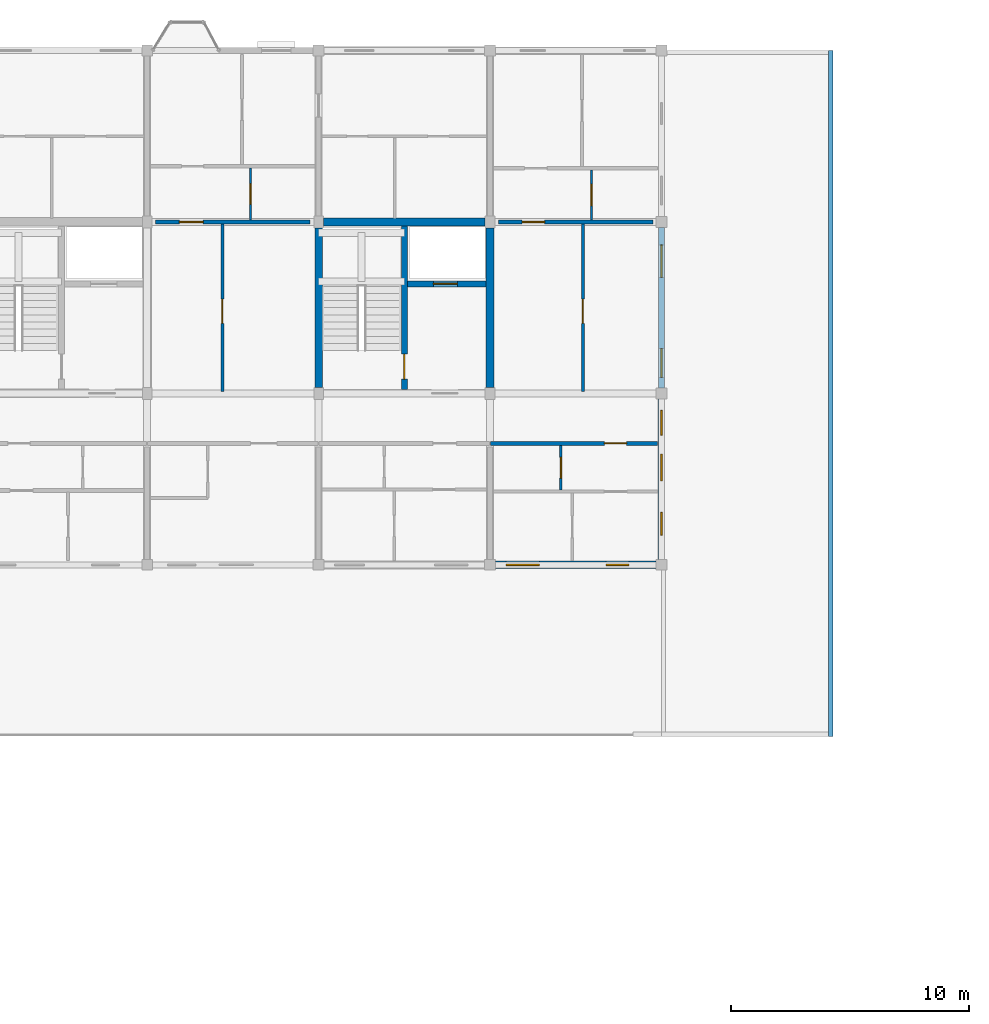
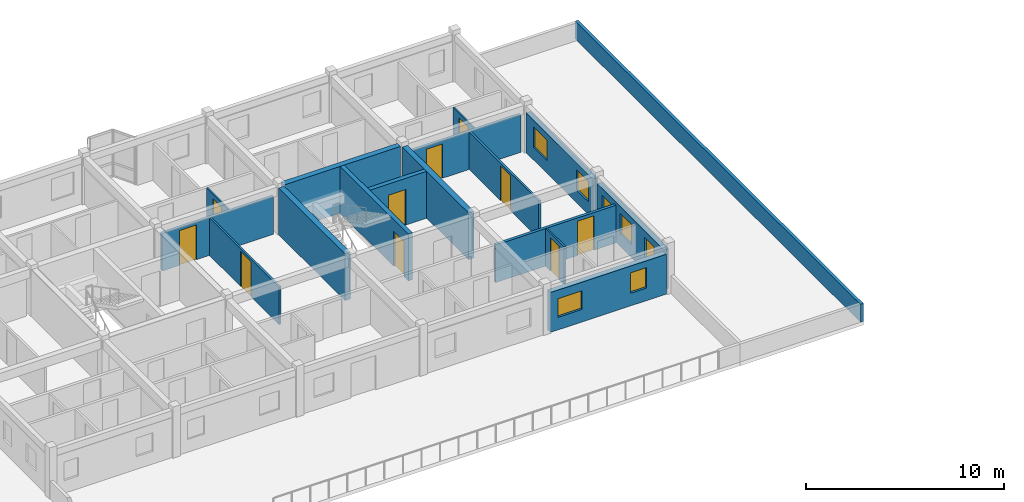
# One storey, part 34 of 40: 17 walls, 10 doors, 7 windows, 17 openings.
"""IFC4 building model written with IfcOpenShell, lengths in metres."""

from ifc_helpers import new_model, si_unit, direction, frame, frame_2d, origin, place, context, subcontext, project, spatial, rectangle, extrude, material, layer, layer_set, type_object, element, fill, save


model = new_model("IFC4")

# Units and contexts
model_context = context("Model", 3, precision=1e-05, world=origin(), true_north=direction((0.0, 1.0)))
body_context = subcontext(model_context, "Body", "Model", "MODEL_VIEW")
ifc_project = project(units=[si_unit("LENGTHUNIT", "METRE"), si_unit("AREAUNIT", "SQUARE_METRE"), si_unit("VOLUMEUNIT", "CUBIC_METRE"), si_unit("PLANEANGLEUNIT", "RADIAN"), si_unit("MASSUNIT", "GRAM", prefix="KILO"), si_unit("THERMODYNAMICTEMPERATUREUNIT", "KELVIN"), si_unit("POWERUNIT", "WATT")], contexts=[model_context])

# Site, building, storey
site_placement = place(None, origin())
site = spatial("IfcSite", under=ifc_project, at=site_placement, CompositionType="ELEMENT")
building_placement = place(site_placement, origin())
building = spatial("IfcBuilding", under=site, at=building_placement, Name="Tavuni Mirador Residences", CompositionType="ELEMENT")
storey_placement = place(building_placement, frame((0.0, 0.0, 36.0)))
storey = spatial("IfcBuildingStorey", under=building, at=storey_placement, Name="L11", CompositionType="ELEMENT", Elevation=36.0)

# Wall, opening, door
ifc_material_1 = material(Name="Precast concrete C40/50", Category="concrete")
ifc_layer_1 = layer(ifc_material_1, 0.25, Name="Precast concrete C40/50", Category="concrete")
ifc_layer_set_1 = layer_set([ifc_layer_1], Name="Precast concrete C40/50")
wall_type_1 = type_object("IfcWallType", Name="WT-COR250", PredefinedType="SHEAR", material=ifc_layer_set_1)
wall_1_placement = place(storey_placement, frame((43.199951171875, 158.56005859375, 0.0), z_axis=(0.0, 0.0, 1.0), x_axis=(0.0, 1.0, 0.0)))
wall_1 = element("IfcWall", 1, at=wall_1_placement, inside=storey, type_object=wall_type_1, Name="CWALL-C6-L11-MID", PredefinedType="SHEAR", context=body_context, shape_type="SweptSolid", body=[
    extrude(rectangle(XDim=6.8798828125, YDim=0.25, at=frame_2d((3.43994140625, 0.0))), origin(), (0.0, 0.0, 1.0), 2.885009765625),
])
opening_1_placement = place(wall_1_placement, frame((0.43994140625, 0.0, 0.0)))
opening_1 = element("IfcOpeningElement", 2, at=opening_1_placement, cuts=wall_1, Name="Opening D-01", PredefinedType="OPENING", context=body_context, shape_type="SweptSolid", body=[
    extrude(rectangle(XDim=1.050048828125, YDim=2.14990234375, at=frame_2d((0.52490234375, 1.074951171875))), frame((0.0, 0.135009765625, 0.0), z_axis=(0.0, -1.0, 0.0), x_axis=(1.0, 0.0, 0.0)), (0.0, 0.0, 1.0), 0.27001953125),
])
ifc_material_2 = material(Name="Solid core iroko timber", Category="wood")
door_type_1 = type_object("IfcDoorType", Name="DT-ST1050", OperationType="NOTDEFINED", PredefinedType="DOOR", material=ifc_material_2)
door_1_placement = place(opening_1_placement, origin())
door_1 = element("IfcDoor", 3, at=door_1_placement, inside=storey, type_object=door_type_1, Name="DR-2253", OperationType="SINGLE_SWING_LEFT", OverallHeight=2.14990234375, OverallWidth=1.050048828125, PredefinedType="DOOR", context=body_context, shape_type="SweptSolid", body=[
    extrude(rectangle(XDim=1.050048828125, YDim=2.14990234375, at=frame_2d((0.52490234375, 1.074951171875))), frame((0.0, 0.02490234375, 0.0), z_axis=(0.0, -1.0, 0.0), x_axis=(1.0, 0.0, 0.0)), (0.0, 0.0, 1.0), 0.050048828125),
])
fill(opening_1, door_1)

wall_2_placement = place(storey_placement, frame((43.324951171875, 163.0, 0.0), z_axis=(0.0, 0.0, 1.0), x_axis=(1.0, 0.0, 0.0)))
wall_2 = element("IfcWall", 4, at=wall_2_placement, inside=storey, type_object=wall_type_1, Name="CWALL-C6-L11-SHF", PredefinedType="SHEAR", context=body_context, shape_type="SweptSolid", body=[
    extrude(rectangle(XDim=3.31494140625, YDim=0.25, at=frame_2d((1.657470703125, 0.0))), origin(), (0.0, 0.0, 1.0), 2.885009765625),
])
opening_2_placement = place(wall_2_placement, frame((1.10009765625, 0.0, 0.0)))
opening_2 = element("IfcOpeningElement", 5, at=opening_2_placement, cuts=wall_2, Name="Opening LD-02", PredefinedType="OPENING", context=body_context, shape_type="SweptSolid", body=[
    extrude(rectangle(XDim=1.0, YDim=2.199951171875, at=frame_2d((0.5, 1.10009765625))), frame((0.0, 0.135009765625, 0.0), z_axis=(0.0, -1.0, 0.0), x_axis=(1.0, 0.0, 0.0)), (0.0, 0.0, 1.0), 0.27001953125),
])
ifc_material_3 = material(Name="Structural steel S355", Category="steel")
door_type_2 = type_object("IfcDoorType", Name="DT-LD-PAX", OperationType="SLIDING_TO_LEFT", PredefinedType="DOOR", material=ifc_material_3)
door_2_placement = place(opening_2_placement, origin())
door_2 = element("IfcDoor", 6, at=door_2_placement, inside=storey, type_object=door_type_2, Name="Lift landing door PL-C1 L11", OperationType="SLIDING_TO_LEFT", OverallHeight=2.199951171875, OverallWidth=1.0, PredefinedType="DOOR", context=body_context, shape_type="SweptSolid", body=[
    extrude(rectangle(XDim=1.0, YDim=2.199951171875, at=frame_2d((0.5, 1.10009765625))), frame((0.0, 0.02490234375, 0.0), z_axis=(0.0, -1.0, 0.0), x_axis=(1.0, 0.0, 0.0)), (0.0, 0.0, 1.0), 0.050048828125),
])
fill(opening_2, door_2)

# Walls
ifc_layer_2 = layer(ifc_material_1, 0.320068359375, Name="Precast concrete C40/50", Category="concrete")
ifc_layer_set_2 = layer_set([ifc_layer_2], Name="Precast concrete C40/50")
wall_type_2 = type_object("IfcWallType", Name="WT-COR320", PredefinedType="SHEAR", material=ifc_layer_set_2)
wall_3_placement = place(storey_placement, frame((39.60009765625, 158.64990234375, 0.0), z_axis=(0.0, 0.0, 1.0), x_axis=(0.0, 1.0, 0.0)))
element("IfcWall", 7, at=wall_3_placement, inside=storey, type_object=wall_type_2, Name="CWALL-C6-L11-W", PredefinedType="SHEAR", context=body_context, shape_type="SweptSolid", body=[
    extrude(rectangle(XDim=6.7001953125, YDim=0.320068359375, at=frame_2d((3.35009765625, 0.0))), origin(), (0.0, 0.0, 1.0), 2.885009765625),
])
wall_4_placement = place(storey_placement, frame((39.800048828125, 165.60009765625, 0.0), z_axis=(0.0, 0.0, 1.0), x_axis=(1.0, 0.0, 0.0)))
element("IfcWall", 8, at=wall_4_placement, inside=storey, type_object=wall_type_2, Name="CWALL-C6-L11-N", PredefinedType="SHEAR", context=body_context, shape_type="SweptSolid", body=[
    extrude(rectangle(XDim=6.800048828125, YDim=0.320068359375, at=frame_2d((3.39990234375, 0.0))), origin(), (0.0, 0.0, 1.0), 2.885009765625),
])
wall_5_placement = place(storey_placement, frame((46.800048828125, 158.64990234375, 0.0), z_axis=(0.0, 0.0, 1.0), x_axis=(0.0, 1.0, 0.0)))
element("IfcWall", 9, at=wall_5_placement, inside=storey, type_object=wall_type_2, Name="CWALL-C6-L11-E", PredefinedType="SHEAR", context=body_context, shape_type="SweptSolid", body=[
    extrude(rectangle(XDim=6.7001953125, YDim=0.320068359375, at=frame_2d((3.35009765625, 0.0))), origin(), (0.0, 0.0, 1.0), 2.885009765625),
])

# Wall, opening, door
ifc_layer_3 = layer(ifc_material_1, 0.1650390625, Name="Precast concrete C40/50", Category="concrete")
ifc_layer_set_3 = layer_set([ifc_layer_3], Name="Precast concrete C40/50")
wall_type_3 = type_object("IfcWallType", Name="WT-CORR165", PredefinedType="PARTITIONING", material=ifc_layer_set_3)
wall_6_placement = place(storey_placement, frame((46.820068359375, 156.300048828125, 0.0), z_axis=(0.0, 0.0, 1.0), x_axis=(1.0, 0.0, 0.0)))
wall_6 = element("IfcWall", 10, at=wall_6_placement, inside=storey, type_object=wall_type_3, Name="CORW-BLK-C-L11-0-04", PredefinedType="PARTITIONING", context=body_context, shape_type="SweptSolid", body=[
    extrude(rectangle(XDim=7.0048828125, YDim=0.1650390625, at=frame_2d((3.50244140625, 0.0))), origin(), (0.0, 0.0, 1.0), 2.320068359375),
])
opening_3_placement = place(wall_6_placement, frame((4.780029296875, 0.0, 0.0)))
opening_3 = element("IfcOpeningElement", 11, at=opening_3_placement, cuts=wall_6, Name="Opening D-19", PredefinedType="OPENING", context=body_context, shape_type="SweptSolid", body=[
    extrude(rectangle(XDim=0.93994140625, YDim=2.1201171875, at=frame_2d((0.469970703125, 1.06005859375))), frame((0.0, 0.092529296875, 0.0), z_axis=(0.0, -1.0, 0.0), x_axis=(1.0, 0.0, 0.0)), (0.0, 0.0, 1.0), 0.18505859375),
])
door_type_3 = type_object("IfcDoorType", Name="DT-FD60-940", OperationType="NOTDEFINED", PredefinedType="DOOR", material=ifc_material_2)
door_3_placement = place(opening_3_placement, origin())
door_3 = element("IfcDoor", 12, at=door_3_placement, inside=storey, type_object=door_type_3, Name="DR-2779", OperationType="SINGLE_SWING_RIGHT", OverallHeight=2.1201171875, OverallWidth=0.93994140625, PredefinedType="DOOR", context=body_context, shape_type="SweptSolid", body=[
    extrude(rectangle(XDim=0.93994140625, YDim=2.1201171875, at=frame_2d((0.469970703125, 1.06005859375))), frame((0.0, 0.02490234375, 0.0), z_axis=(0.0, -1.0, 0.0), x_axis=(1.0, 0.0, 0.0)), (0.0, 0.0, 1.0), 0.050048828125),
])
fill(opening_3, door_3)

wall_7_placement = place(storey_placement, frame((32.75, 165.60009765625, 0.0), z_axis=(0.0, 0.0, 1.0), x_axis=(1.0, 0.0, 0.0)))
wall_7 = element("IfcWall", 13, at=wall_7_placement, inside=storey, type_object=wall_type_3, Name="CORW-BLK-C-L11-1-02", PredefinedType="PARTITIONING", context=body_context, shape_type="SweptSolid", body=[
    extrude(rectangle(XDim=6.5, YDim=0.1650390625, at=frame_2d((3.25, 0.0))), origin(), (0.0, 0.0, 1.0), 2.320068359375),
])
opening_4_placement = place(wall_7_placement, frame((1.0, 0.0, 0.0)))
opening_4 = element("IfcOpeningElement", 14, at=opening_4_placement, cuts=wall_7, Name="Opening D-03", PredefinedType="OPENING", context=body_context, shape_type="SweptSolid", body=[
    extrude(rectangle(XDim=1.0, YDim=2.14990234375, at=frame_2d((0.5, 1.074951171875))), frame((0.0, 0.092529296875, 0.0), z_axis=(0.0, -1.0, 0.0), x_axis=(1.0, 0.0, 0.0)), (0.0, 0.0, 1.0), 0.18505859375),
])
door_type_4 = type_object("IfcDoorType", Name="DT-FD60-1000", OperationType="NOTDEFINED", PredefinedType="DOOR", material=ifc_material_2)
door_4_placement = place(opening_4_placement, origin())
door_4 = element("IfcDoor", 15, at=door_4_placement, inside=storey, type_object=door_type_4, Name="DR-2781", OperationType="SINGLE_SWING_RIGHT", OverallHeight=2.14990234375, OverallWidth=1.0, PredefinedType="DOOR", context=body_context, shape_type="SweptSolid", body=[
    extrude(rectangle(XDim=1.0, YDim=2.14990234375, at=frame_2d((0.5, 1.074951171875))), frame((0.0, 0.02490234375, 0.0), z_axis=(0.0, -1.0, 0.0), x_axis=(1.0, 0.0, 0.0)), (0.0, 0.0, 1.0), 0.050048828125),
])
fill(opening_4, door_4)

wall_8_placement = place(storey_placement, frame((47.14990234375, 165.60009765625, 0.0), z_axis=(0.0, 0.0, 1.0), x_axis=(1.0, 0.0, 0.0)))
wall_8 = element("IfcWall", 16, at=wall_8_placement, inside=storey, type_object=wall_type_3, Name="CORW-BLK-C-L11-1-04", PredefinedType="PARTITIONING", context=body_context, shape_type="SweptSolid", body=[
    extrude(rectangle(XDim=6.5, YDim=0.1650390625, at=frame_2d((3.25, 0.0))), origin(), (0.0, 0.0, 1.0), 2.320068359375),
])
opening_5_placement = place(wall_8_placement, frame((1.0, 0.0, 0.0)))
opening_5 = element("IfcOpeningElement", 17, at=opening_5_placement, cuts=wall_8, Name="Opening D-19", PredefinedType="OPENING", context=body_context, shape_type="SweptSolid", body=[
    extrude(rectangle(XDim=0.93994140625, YDim=2.1201171875, at=frame_2d((0.469970703125, 1.06005859375))), frame((0.0, 0.092529296875, 0.0), z_axis=(0.0, -1.0, 0.0), x_axis=(1.0, 0.0, 0.0)), (0.0, 0.0, 1.0), 0.18505859375),
])
door_5_placement = place(opening_5_placement, origin())
door_5 = element("IfcDoor", 18, at=door_5_placement, inside=storey, type_object=door_type_3, Name="DR-2782", OperationType="SINGLE_SWING_LEFT", OverallHeight=2.1201171875, OverallWidth=0.93994140625, PredefinedType="DOOR", context=body_context, shape_type="SweptSolid", body=[
    extrude(rectangle(XDim=0.93994140625, YDim=2.1201171875, at=frame_2d((0.469970703125, 1.06005859375))), frame((0.0, 0.02490234375, 0.0), z_axis=(0.0, -1.0, 0.0), x_axis=(1.0, 0.0, 0.0)), (0.0, 0.0, 1.0), 0.050048828125),
])
fill(opening_5, door_5)

# Wall, openings, windows
ifc_material_4 = material(Name="Sgraffito lime-rendered precast concrete C40/50", Category="concrete")
ifc_layer_4 = layer(ifc_material_4, 0.2548828125, Name="Sgraffito lime-rendered precast concrete C40/50", Category="concrete")
ifc_layer_set_4 = layer_set([ifc_layer_4], Name="Sgraffito lime-rendered precast concrete C40/50")
wall_type_4 = type_object("IfcWallType", Name="WT-EXT-PC255", PredefinedType="SOLIDWALL", material=ifc_layer_set_4)
wall_9_placement = place(storey_placement, frame((54.0, 158.625, 0.0), z_axis=(0.0, 0.0, 1.0), x_axis=(0.0, 1.0, 0.0)))
wall_9 = element("IfcWall", 19, at=wall_9_placement, inside=storey, type_object=wall_type_4, Name="EW-BLK-C-L11-E01", PredefinedType="SOLIDWALL", context=body_context, shape_type="SweptSolid", body=[
    extrude(rectangle(XDim=6.75, YDim=0.2548828125, at=frame_2d((3.375, 0.0))), origin(), (0.0, 0.0, 1.0), 2.455078125),
])
opening_6_placement = place(wall_9_placement, frame((0.449951171875, 0.0, 0.780029296875)))
opening_6 = element("IfcOpeningElement", 20, at=opening_6_placement, cuts=wall_9, Name="Opening WN-13", PredefinedType="OPENING", context=body_context, shape_type="SweptSolid", body=[
    extrude(rectangle(XDim=1.199951171875, YDim=1.260009765625, at=frame_2d((0.60009765625, 0.6298828125))), frame((0.0, 0.137451171875, 0.0), z_axis=(0.0, -1.0, 0.0), x_axis=(1.0, 0.0, 0.0)), (0.0, 0.0, 1.0), 0.27490234375),
])
opening_7_placement = place(wall_9_placement, frame((4.64990234375, 0.0, 0.780029296875)))
opening_7 = element("IfcOpeningElement", 21, at=opening_7_placement, cuts=wall_9, Name="Opening WN-15", PredefinedType="OPENING", context=body_context, shape_type="SweptSolid", body=[
    extrude(rectangle(XDim=1.360107421875, YDim=1.260009765625, at=frame_2d((0.68017578125, 0.6298828125))), frame((0.0, 0.137451171875, 0.0), z_axis=(0.0, -1.0, 0.0), x_axis=(1.0, 0.0, 0.0)), (0.0, 0.0, 1.0), 0.27490234375),
])
ifc_material_5 = material(Name="Laminated solar-control glass", Category="glass")
window_type_1 = type_object("IfcWindowType", Name="WNT-13", PartitioningType="SINGLE_PANEL", PredefinedType="WINDOW", material=ifc_material_5)
window_1_placement = place(opening_6_placement, origin())
window_1 = element("IfcWindow", 22, at=window_1_placement, inside=storey, type_object=window_type_1, Name="WIN-1321", OverallHeight=1.260009765625, OverallWidth=1.199951171875, PartitioningType="SINGLE_PANEL", PredefinedType="WINDOW", context=body_context, shape_type="SweptSolid", body=[
    extrude(rectangle(XDim=1.199951171875, YDim=1.260009765625, at=frame_2d((0.60009765625, 0.6298828125))), frame((0.0, 0.030029296875, 0.0), z_axis=(0.0, -1.0, 0.0), x_axis=(1.0, 0.0, 0.0)), (0.0, 0.0, 1.0), 0.06005859375),
])
fill(opening_6, window_1)
window_type_2 = type_object("IfcWindowType", Name="WNT-15", PartitioningType="SINGLE_PANEL", PredefinedType="WINDOW", material=ifc_material_5)
window_2_placement = place(opening_7_placement, origin())
window_2 = element("IfcWindow", 23, at=window_2_placement, inside=storey, type_object=window_type_2, Name="WIN-1322", OverallHeight=1.260009765625, OverallWidth=1.360107421875, PartitioningType="SINGLE_PANEL", PredefinedType="WINDOW", context=body_context, shape_type="SweptSolid", body=[
    extrude(rectangle(XDim=1.360107421875, YDim=1.260009765625, at=frame_2d((0.68017578125, 0.6298828125))), frame((0.0, 0.030029296875, 0.0), z_axis=(0.0, -1.0, 0.0), x_axis=(1.0, 0.0, 0.0)), (0.0, 0.0, 1.0), 0.06005859375),
])
fill(opening_7, window_2)

ifc_layer_5 = layer(ifc_material_4, 0.27490234375, Name="Sgraffito lime-rendered precast concrete C40/50", Category="concrete")
ifc_layer_set_5 = layer_set([ifc_layer_5], Name="Sgraffito lime-rendered precast concrete C40/50")
wall_type_5 = type_object("IfcWallType", Name="WT-EXT-PC275", PredefinedType="SOLIDWALL", material=ifc_layer_set_5)
wall_10_placement = place(storey_placement, frame((54.0, 151.425048828125, 0.0), z_axis=(0.0, 0.0, 1.0), x_axis=(0.0, 1.0, 0.0)))
wall_10 = element("IfcWall", 24, at=wall_10_placement, inside=storey, type_object=wall_type_5, Name="EW-BLK-C-L11-E00", PredefinedType="SOLIDWALL", context=body_context, shape_type="SweptSolid", body=[
    extrude(rectangle(XDim=6.75, YDim=0.27490234375, at=frame_2d((3.375, 0.0))), origin(), (0.0, 0.0, 1.0), 2.455078125),
])
opening_8_placement = place(wall_10_placement, frame((1.017578125, 0.0, 0.780029296875)))
opening_8 = element("IfcOpeningElement", 25, at=opening_8_placement, cuts=wall_10, Name="Opening WN-10", PredefinedType="OPENING", context=body_context, shape_type="SweptSolid", body=[
    extrude(rectangle(XDim=0.9599609375, YDim=1.260009765625, at=frame_2d((0.47998046875, 0.6298828125))), frame((0.0, 0.1474609375, 0.0), z_axis=(0.0, -1.0, 0.0), x_axis=(1.0, 0.0, 0.0)), (0.0, 0.0, 1.0), 0.294921875),
])
opening_9_placement = place(wall_10_placement, frame((3.304931640625, 0.0, 0.780029296875)))
opening_9 = element("IfcOpeningElement", 26, at=opening_9_placement, cuts=wall_10, Name="Opening WN-12", PredefinedType="OPENING", context=body_context, shape_type="SweptSolid", body=[
    extrude(rectangle(XDim=1.1201171875, YDim=1.260009765625, at=frame_2d((0.56005859375, 0.6298828125))), frame((0.0, 0.1474609375, 0.0), z_axis=(0.0, -1.0, 0.0), x_axis=(1.0, 0.0, 0.0)), (0.0, 0.0, 1.0), 0.294921875),
])
opening_10_placement = place(wall_10_placement, frame((5.222412109375, 0.0, 0.780029296875)))
opening_10 = element("IfcOpeningElement", 27, at=opening_10_placement, cuts=wall_10, Name="Opening WN-11", PredefinedType="OPENING", context=body_context, shape_type="SweptSolid", body=[
    extrude(rectangle(XDim=1.0400390625, YDim=1.260009765625, at=frame_2d((0.52001953125, 0.6298828125))), frame((0.0, 0.1474609375, 0.0), z_axis=(0.0, -1.0, 0.0), x_axis=(1.0, 0.0, 0.0)), (0.0, 0.0, 1.0), 0.294921875),
])
window_type_3 = type_object("IfcWindowType", Name="WNT-10", PartitioningType="SINGLE_PANEL", PredefinedType="WINDOW", material=ifc_material_5)
window_3_placement = place(opening_8_placement, origin())
window_3 = element("IfcWindow", 28, at=window_3_placement, inside=storey, type_object=window_type_3, Name="WIN-1318", OverallHeight=1.260009765625, OverallWidth=0.9599609375, PartitioningType="SINGLE_PANEL", PredefinedType="WINDOW", context=body_context, shape_type="SweptSolid", body=[
    extrude(rectangle(XDim=0.9599609375, YDim=1.260009765625, at=frame_2d((0.47998046875, 0.6298828125))), frame((0.0, 0.030029296875, 0.0), z_axis=(0.0, -1.0, 0.0), x_axis=(1.0, 0.0, 0.0)), (0.0, 0.0, 1.0), 0.06005859375),
])
fill(opening_8, window_3)
window_type_4 = type_object("IfcWindowType", Name="WNT-11", PartitioningType="SINGLE_PANEL", PredefinedType="WINDOW", material=ifc_material_5)
window_4_placement = place(opening_10_placement, origin())
window_4 = element("IfcWindow", 29, at=window_4_placement, inside=storey, type_object=window_type_4, Name="WIN-1320", OverallHeight=1.260009765625, OverallWidth=1.0400390625, PartitioningType="SINGLE_PANEL", PredefinedType="WINDOW", context=body_context, shape_type="SweptSolid", body=[
    extrude(rectangle(XDim=1.0400390625, YDim=1.260009765625, at=frame_2d((0.52001953125, 0.6298828125))), frame((0.0, 0.030029296875, 0.0), z_axis=(0.0, -1.0, 0.0), x_axis=(1.0, 0.0, 0.0)), (0.0, 0.0, 1.0), 0.06005859375),
])
fill(opening_10, window_4)
window_type_5 = type_object("IfcWindowType", Name="WNT-12", PartitioningType="SINGLE_PANEL", PredefinedType="WINDOW", material=ifc_material_5)
window_5_placement = place(opening_9_placement, origin())
window_5 = element("IfcWindow", 30, at=window_5_placement, inside=storey, type_object=window_type_5, Name="WIN-1319", OverallHeight=1.260009765625, OverallWidth=1.1201171875, PartitioningType="SINGLE_PANEL", PredefinedType="WINDOW", context=body_context, shape_type="SweptSolid", body=[
    extrude(rectangle(XDim=1.1201171875, YDim=1.260009765625, at=frame_2d((0.56005859375, 0.6298828125))), frame((0.0, 0.030029296875, 0.0), z_axis=(0.0, -1.0, 0.0), x_axis=(1.0, 0.0, 0.0)), (0.0, 0.0, 1.0), 0.06005859375),
])
fill(opening_9, window_5)

ifc_layer_6 = layer(ifc_material_4, 0.31494140625, Name="Sgraffito lime-rendered precast concrete C40/50", Category="concrete")
ifc_layer_set_6 = layer_set([ifc_layer_6], Name="Sgraffito lime-rendered precast concrete C40/50")
wall_type_6 = type_object("IfcWallType", Name="WT-EXT-PC315", PredefinedType="SOLIDWALL", material=ifc_layer_set_6)
wall_11_placement = place(storey_placement, frame((47.02490234375, 151.199951171875, 0.0), z_axis=(0.0, 0.0, 1.0), x_axis=(1.0, 0.0, 0.0)))
wall_11 = element("IfcWall", 31, at=wall_11_placement, inside=storey, type_object=wall_type_6, Name="EW-BLK-C-L11-S04", PredefinedType="SOLIDWALL", context=body_context, shape_type="SweptSolid", body=[
    extrude(rectangle(XDim=6.75, YDim=0.31494140625, at=frame_2d((3.375, 0.0))), origin(), (0.0, 0.0, 1.0), 2.455078125),
])
opening_11_placement = place(wall_11_placement, frame((0.449951171875, 0.0, 0.780029296875)))
opening_11 = element("IfcOpeningElement", 32, at=opening_11_placement, cuts=wall_11, Name="Opening WN-08", PredefinedType="OPENING", context=body_context, shape_type="SweptSolid", body=[
    extrude(rectangle(XDim=1.39990234375, YDim=1.14990234375, at=frame_2d((0.699951171875, 0.574951171875))), frame((0.0, 0.16748046875, 0.0), z_axis=(0.0, -1.0, 0.0), x_axis=(1.0, 0.0, 0.0)), (0.0, 0.0, 1.0), 0.3349609375),
])
opening_12_placement = place(wall_11_placement, frame((4.64990234375, 0.0, 0.780029296875)))
opening_12 = element("IfcOpeningElement", 33, at=opening_12_placement, cuts=wall_11, Name="Opening WN-10", PredefinedType="OPENING", context=body_context, shape_type="SweptSolid", body=[
    extrude(rectangle(XDim=0.9599609375, YDim=1.260009765625, at=frame_2d((0.47998046875, 0.6298828125))), frame((0.0, 0.16748046875, 0.0), z_axis=(0.0, -1.0, 0.0), x_axis=(1.0, 0.0, 0.0)), (0.0, 0.0, 1.0), 0.3349609375),
])
window_type_6 = type_object("IfcWindowType", Name="WNT-08", PartitioningType="SINGLE_PANEL", PredefinedType="WINDOW", material=ifc_material_5)
window_6_placement = place(opening_11_placement, origin())
window_6 = element("IfcWindow", 34, at=window_6_placement, inside=storey, type_object=window_type_6, Name="WIN-1316", OverallHeight=1.14990234375, OverallWidth=1.39990234375, PartitioningType="SINGLE_PANEL", PredefinedType="WINDOW", context=body_context, shape_type="SweptSolid", body=[
    extrude(rectangle(XDim=1.39990234375, YDim=1.14990234375, at=frame_2d((0.699951171875, 0.574951171875))), frame((0.0, 0.030029296875, 0.0), z_axis=(0.0, -1.0, 0.0), x_axis=(1.0, 0.0, 0.0)), (0.0, 0.0, 1.0), 0.06005859375),
])
fill(opening_11, window_6)
window_7_placement = place(opening_12_placement, origin())
window_7 = element("IfcWindow", 35, at=window_7_placement, inside=storey, type_object=window_type_3, Name="WIN-1317", OverallHeight=1.260009765625, OverallWidth=0.9599609375, PartitioningType="SINGLE_PANEL", PredefinedType="WINDOW", context=body_context, shape_type="SweptSolid", body=[
    extrude(rectangle(XDim=0.9599609375, YDim=1.260009765625, at=frame_2d((0.47998046875, 0.6298828125))), frame((0.0, 0.030029296875, 0.0), z_axis=(0.0, -1.0, 0.0), x_axis=(1.0, 0.0, 0.0)), (0.0, 0.0, 1.0), 0.06005859375),
])
fill(opening_12, window_7)

# Wall
ifc_layer_7 = layer(ifc_material_1, 0.175048828125, Name="Precast concrete C40/50", Category="concrete")
ifc_layer_set_7 = layer_set([ifc_layer_7], Name="Precast concrete C40/50")
wall_type_7 = type_object("IfcWallType", Name="WT-PAR175", PredefinedType="PARAPET", material=ifc_layer_set_7)
wall_12_placement = place(storey_placement, frame((61.112548828125, 144.0, 0.0), z_axis=(0.0, 0.0, 1.0), x_axis=(0.0, 1.0, 0.0)))
element("IfcWall", 36, at=wall_12_placement, inside=storey, type_object=wall_type_7, Name="Setback roof parapet ROOF-C-L11-E E", PredefinedType="PARAPET", context=body_context, shape_type="SweptSolid", body=[
    extrude(rectangle(XDim=28.800048828125, YDim=0.175048828125, at=frame_2d((14.39990234375, 0.0))), origin(), (0.0, 0.0, 1.0), 1.10009765625),
])

# Wall, opening, door
ifc_material_6 = material(Name="Acoustic gypsum and concrete block partition", Category="concrete")
ifc_layer_8 = layer(ifc_material_6, 0.094970703125, Name="Acoustic gypsum and concrete block partition", Category="concrete")
ifc_layer_set_8 = layer_set([ifc_layer_8], Name="Acoustic gypsum and concrete block partition")
wall_type_8 = type_object("IfcWallType", Name="WT-PART095", PredefinedType="PARTITIONING", material=ifc_layer_set_8)
wall_13_placement = place(storey_placement, frame((36.739990234375, 165.68994140625, 0.0), z_axis=(0.0, 0.0, 1.0), x_axis=(0.0, 1.0, 0.0)))
wall_13 = element("IfcWall", 37, at=wall_13_placement, inside=storey, type_object=wall_type_8, Name="PW-BLK-C-L11-N02-IN1", PredefinedType="PARTITIONING", context=body_context, shape_type="SweptSolid", body=[
    extrude(rectangle(XDim=2.18017578125, YDim=0.094970703125, at=frame_2d((1.090087890625, 0.0))), origin(), (0.0, 0.0, 1.0), 2.320068359375),
])
opening_13_placement = place(wall_13_placement, frame((0.655029296875, 0.0, 0.0)))
opening_13 = element("IfcOpeningElement", 38, at=opening_13_placement, cuts=wall_13, Name="Opening D-10", PredefinedType="OPENING", context=body_context, shape_type="SweptSolid", body=[
    extrude(rectangle(XDim=0.8701171875, YDim=2.050048828125, at=frame_2d((0.43505859375, 1.02490234375))), frame((0.0, 0.0576171875, 0.0), z_axis=(0.0, -1.0, 0.0), x_axis=(1.0, 0.0, 0.0)), (0.0, 0.0, 1.0), 0.114990234375),
])
door_type_5 = type_object("IfcDoorType", Name="DT-WC870", OperationType="NOTDEFINED", PredefinedType="DOOR", material=ifc_material_2)
door_6_placement = place(opening_13_placement, origin())
door_6 = element("IfcDoor", 39, at=door_6_placement, inside=storey, type_object=door_type_5, Name="DR-4213", OperationType="SINGLE_SWING_RIGHT", OverallHeight=2.050048828125, OverallWidth=0.8701171875, PredefinedType="DOOR", context=body_context, shape_type="SweptSolid", body=[
    extrude(rectangle(XDim=0.8701171875, YDim=2.050048828125, at=frame_2d((0.43505859375, 1.02490234375))), frame((0.0, 0.02490234375, 0.0), z_axis=(0.0, -1.0, 0.0), x_axis=(1.0, 0.0, 0.0)), (0.0, 0.0, 1.0), 0.050048828125),
])
fill(opening_13, door_6)

wall_14_placement = place(storey_placement, frame((51.06005859375, 165.68994140625, 0.0), z_axis=(0.0, 0.0, 1.0), x_axis=(0.0, 1.0, 0.0)))
wall_14 = element("IfcWall", 40, at=wall_14_placement, inside=storey, type_object=wall_type_8, Name="PW-BLK-C-L11-N04-IN1", PredefinedType="PARTITIONING", context=body_context, shape_type="SweptSolid", body=[
    extrude(rectangle(XDim=2.10009765625, YDim=0.094970703125, at=frame_2d((1.050048828125, 0.0))), origin(), (0.0, 0.0, 1.0), 2.320068359375),
])
opening_14_placement = place(wall_14_placement, frame((0.60009765625, 0.0, 0.0)))
opening_14 = element("IfcOpeningElement", 41, at=opening_14_placement, cuts=wall_14, Name="Opening D-09", PredefinedType="OPENING", context=body_context, shape_type="SweptSolid", body=[
    extrude(rectangle(XDim=0.89990234375, YDim=2.050048828125, at=frame_2d((0.449951171875, 1.02490234375))), frame((0.0, 0.0576171875, 0.0), z_axis=(0.0, -1.0, 0.0), x_axis=(1.0, 0.0, 0.0)), (0.0, 0.0, 1.0), 0.114990234375),
])
door_type_6 = type_object("IfcDoorType", Name="DT-WC900", OperationType="NOTDEFINED", PredefinedType="DOOR", material=ifc_material_2)
door_7_placement = place(opening_14_placement, origin())
door_7 = element("IfcDoor", 42, at=door_7_placement, inside=storey, type_object=door_type_6, Name="DR-4225", OperationType="SINGLE_SWING_LEFT", OverallHeight=2.050048828125, OverallWidth=0.89990234375, PredefinedType="DOOR", context=body_context, shape_type="SweptSolid", body=[
    extrude(rectangle(XDim=0.89990234375, YDim=2.050048828125, at=frame_2d((0.449951171875, 1.02490234375))), frame((0.0, 0.02490234375, 0.0), z_axis=(0.0, -1.0, 0.0), x_axis=(1.0, 0.0, 0.0)), (0.0, 0.0, 1.0), 0.050048828125),
])
fill(opening_14, door_7)

ifc_layer_9 = layer(ifc_material_6, 0.10498046875, Name="Acoustic gypsum and concrete block partition", Category="concrete")
ifc_layer_set_9 = layer_set([ifc_layer_9], Name="Acoustic gypsum and concrete block partition")
wall_type_9 = type_object("IfcWallType", Name="WT-PART105", PredefinedType="PARTITIONING", material=ifc_layer_set_9)
wall_15_placement = place(storey_placement, frame((49.780029296875, 154.35009765625, 0.0), z_axis=(0.0, 0.0, 1.0), x_axis=(0.0, 1.0, 0.0)))
wall_15 = element("IfcWall", 43, at=wall_15_placement, inside=storey, type_object=wall_type_9, Name="PW-BLK-C-L11-S04-IN1", PredefinedType="PARTITIONING", context=body_context, shape_type="SweptSolid", body=[
    extrude(rectangle(XDim=1.85986328125, YDim=0.10498046875, at=frame_2d((0.929931640625, 0.0))), origin(), (0.0, 0.0, 1.0), 2.320068359375),
])
opening_15_placement = place(wall_15_placement, frame((0.4951171875, 0.0, 0.0)))
opening_15 = element("IfcOpeningElement", 44, at=opening_15_placement, cuts=wall_15, Name="Opening D-10", PredefinedType="OPENING", context=body_context, shape_type="SweptSolid", body=[
    extrude(rectangle(XDim=0.8701171875, YDim=2.050048828125, at=frame_2d((0.43505859375, 1.02490234375))), frame((0.0, 0.0625, 0.0), z_axis=(0.0, -1.0, 0.0), x_axis=(1.0, 0.0, 0.0)), (0.0, 0.0, 1.0), 0.125),
])
door_8_placement = place(opening_15_placement, origin())
door_8 = element("IfcDoor", 45, at=door_8_placement, inside=storey, type_object=door_type_5, Name="DR-4222", OperationType="SINGLE_SWING_LEFT", OverallHeight=2.050048828125, OverallWidth=0.8701171875, PredefinedType="DOOR", context=body_context, shape_type="SweptSolid", body=[
    extrude(rectangle(XDim=0.8701171875, YDim=2.050048828125, at=frame_2d((0.43505859375, 1.02490234375))), frame((0.0, 0.02490234375, 0.0), z_axis=(0.0, -1.0, 0.0), x_axis=(1.0, 0.0, 0.0)), (0.0, 0.0, 1.0), 0.050048828125),
])
fill(opening_15, door_8)

ifc_layer_10 = layer(ifc_material_6, 0.114990234375, Name="Acoustic gypsum and concrete block partition", Category="concrete")
ifc_layer_set_10 = layer_set([ifc_layer_10], Name="Acoustic gypsum and concrete block partition")
wall_type_10 = type_object("IfcWallType", Name="WT-PART115", PredefinedType="PARTITIONING", material=ifc_layer_set_10)
wall_16_placement = place(storey_placement, frame((35.56005859375, 158.489990234375, 0.0), z_axis=(0.0, 0.0, 1.0), x_axis=(0.0, 1.0, 0.0)))
wall_16 = element("IfcWall", 46, at=wall_16_placement, inside=storey, type_object=wall_type_10, Name="PW-SPN-BLK-C-L11-02", PredefinedType="PARTITIONING", context=body_context, shape_type="SweptSolid", body=[
    extrude(rectangle(XDim=7.02001953125, YDim=0.114990234375, at=frame_2d((3.510009765625, 0.0))), origin(), (0.0, 0.0, 1.0), 2.320068359375),
])
opening_16_placement = place(wall_16_placement, frame((2.85009765625, 0.0, 0.0)))
opening_16 = element("IfcOpeningElement", 47, at=opening_16_placement, cuts=wall_16, Name="Opening D-13", PredefinedType="OPENING", context=body_context, shape_type="SweptSolid", body=[
    extrude(rectangle(XDim=1.02001953125, YDim=2.14990234375, at=frame_2d((0.510009765625, 1.074951171875))), frame((0.0, 0.0673828125, 0.0), z_axis=(0.0, -1.0, 0.0), x_axis=(1.0, 0.0, 0.0)), (0.0, 0.0, 1.0), 0.135009765625),
])
door_type_7 = type_object("IfcDoorType", Name="DT-MTG1020", OperationType="NOTDEFINED", PredefinedType="DOOR", material=ifc_material_2)
door_9_placement = place(opening_16_placement, origin())
door_9 = element("IfcDoor", 48, at=door_9_placement, inside=storey, type_object=door_type_7, Name="DR-4210", OperationType="SINGLE_SWING_RIGHT", OverallHeight=2.14990234375, OverallWidth=1.02001953125, PredefinedType="DOOR", context=body_context, shape_type="SweptSolid", body=[
    extrude(rectangle(XDim=1.02001953125, YDim=2.14990234375, at=frame_2d((0.510009765625, 1.074951171875))), frame((0.0, 0.02490234375, 0.0), z_axis=(0.0, -1.0, 0.0), x_axis=(1.0, 0.0, 0.0)), (0.0, 0.0, 1.0), 0.050048828125),
])
fill(opening_16, door_9)

ifc_layer_11 = layer(ifc_material_6, 0.125, Name="Acoustic gypsum and concrete block partition", Category="concrete")
ifc_layer_set_11 = layer_set([ifc_layer_11], Name="Acoustic gypsum and concrete block partition")
wall_type_11 = type_object("IfcWallType", Name="WT-PART125", PredefinedType="PARTITIONING", material=ifc_layer_set_11)
wall_17_placement = place(storey_placement, frame((50.699951171875, 158.489990234375, 0.0), z_axis=(0.0, 0.0, 1.0), x_axis=(0.0, 1.0, 0.0)))
wall_17 = element("IfcWall", 49, at=wall_17_placement, inside=storey, type_object=wall_type_11, Name="PW-SPN-BLK-C-L11-04", PredefinedType="PARTITIONING", context=body_context, shape_type="SweptSolid", body=[
    extrude(rectangle(XDim=7.02001953125, YDim=0.125, at=frame_2d((3.510009765625, 0.0))), origin(), (0.0, 0.0, 1.0), 2.320068359375),
])
opening_17_placement = place(wall_17_placement, frame((2.85009765625, 0.0, 0.0)))
opening_17 = element("IfcOpeningElement", 50, at=opening_17_placement, cuts=wall_17, Name="Opening D-13", PredefinedType="OPENING", context=body_context, shape_type="SweptSolid", body=[
    extrude(rectangle(XDim=1.02001953125, YDim=2.14990234375, at=frame_2d((0.510009765625, 1.074951171875))), frame((0.0, 0.072509765625, 0.0), z_axis=(0.0, -1.0, 0.0), x_axis=(1.0, 0.0, 0.0)), (0.0, 0.0, 1.0), 0.14501953125),
])
door_10_placement = place(opening_17_placement, origin())
door_10 = element("IfcDoor", 51, at=door_10_placement, inside=storey, type_object=door_type_7, Name="DR-4220", OperationType="SINGLE_SWING_RIGHT", OverallHeight=2.14990234375, OverallWidth=1.02001953125, PredefinedType="DOOR", context=body_context, shape_type="SweptSolid", body=[
    extrude(rectangle(XDim=1.02001953125, YDim=2.14990234375, at=frame_2d((0.510009765625, 1.074951171875))), frame((0.0, 0.02490234375, 0.0), z_axis=(0.0, -1.0, 0.0), x_axis=(1.0, 0.0, 0.0)), (0.0, 0.0, 1.0), 0.050048828125),
])
fill(opening_17, door_10)

save(model, "model.ifc")
